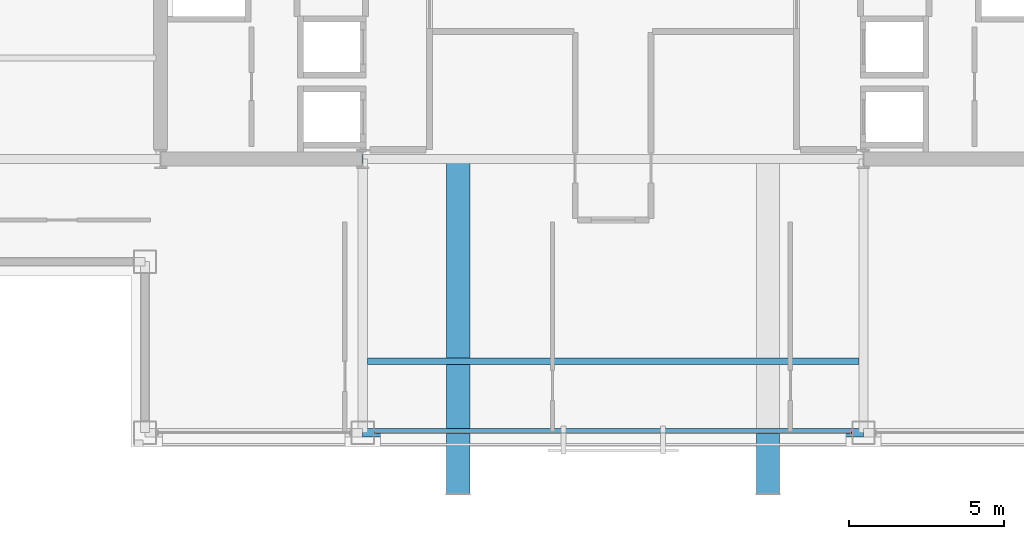
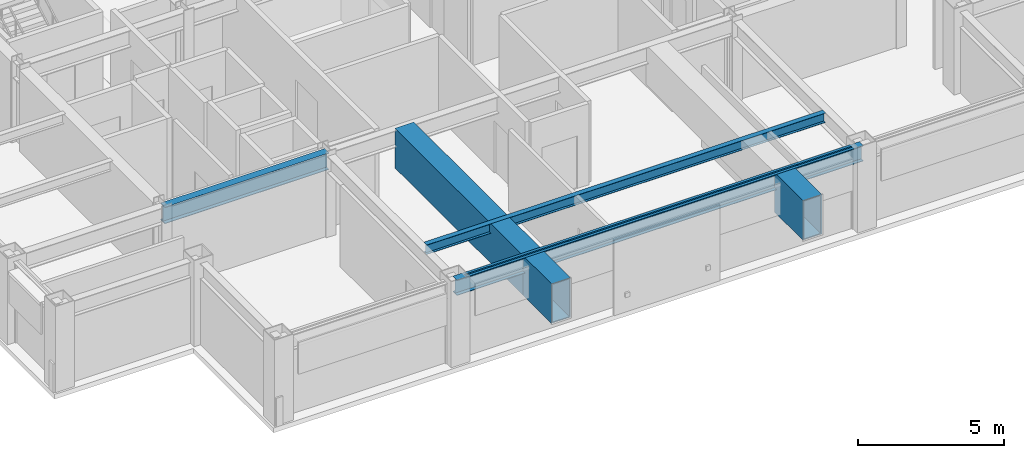
# One storey, part 5 of 28: 6 beams, 1 member, 1 element without a shape of its own.
"""IFC4 building model written with IfcOpenShell, lengths in metres."""

import ifcopenshell
import ifcopenshell.guid

model = None  # the IFC model being written
_history = None  # IfcOwnerHistory: only IFC2X3 demands one
_inside = {}  # id of a spatial element -> (the spatial element, [elements in it])
_under = {}  # id of a project, library or spatial element -> (it, [spatial elements below it])
_declared = {}  # id of a project -> (the project, [libraries it declares])
_typed = {}  # id of a type object -> (the type object, [elements of that type])
_made_of = {}  # id of a material, layer set ... -> (it, [elements and type objects made of it])


def new_model(schema):
    """Start an empty IFC model of exactly this schema.

    Asked for "IFC4X3", IfcOpenShell would pick the latest addendum, in which some entities
    have other attributes; the version numbers below select the first issue.
    IFC2X3 requires an IfcOwnerHistory on every rooted entity: one is made here for all.
    """
    global model, _history
    if schema == "IFC4X3":
        model = ifcopenshell.file(schema_version=(4, 3, 0, 0))
    else:
        model = ifcopenshell.file(schema=schema)
    _inside.clear()
    _under.clear()
    _declared.clear()
    _typed.clear()
    _made_of.clear()
    _history = None
    if model.schema == "IFC2X3":
        org = make("IfcOrganization", Name="unknown")
        user = make(
            "IfcPersonAndOrganization",
            ThePerson=make("IfcPerson", FamilyName="unknown"),
            TheOrganization=org,
        )
        app = make(
            "IfcApplication",
            ApplicationDeveloper=org,
            Version="unknown",
            ApplicationFullName="unknown",
            ApplicationIdentifier="unknown",
        )
        _history = make(
            "IfcOwnerHistory",
            OwningUser=user,
            OwningApplication=app,
            ChangeAction="ADDED",
            CreationDate=0,
        )
    return model


def make(cls, **values):
    """One entity of the class cls with the attributes given. An attribute that is None is left unset."""
    return model.create_entity(
        cls, **{name: value for name, value in values.items() if value is not None}
    )


def rooted(cls, **values):
    """An entity with a GlobalId (a new one), such as an element, a storey or a relation."""
    return make(cls, GlobalId=ifcopenshell.guid.new(), OwnerHistory=_history, **values)


def si_unit(unit_type, name, prefix=None):
    """IfcSIUnit, for example si_unit("LENGTHUNIT", "METRE", prefix="MILLI")."""
    return make("IfcSIUnit", UnitType=unit_type, Prefix=prefix, Name=name)


def assignment(units):
    """IfcUnitAssignment: the units of a project."""
    return None if units is None else make("IfcUnitAssignment", Units=units)


def point(xyz):
    """IfcCartesianPoint."""
    return None if xyz is None else make("IfcCartesianPoint", Coordinates=xyz)


def direction(xyz):
    """IfcDirection."""
    return None if xyz is None else make("IfcDirection", DirectionRatios=xyz)


def frame(location, z_axis=None, x_axis=None):
    """IfcAxis2Placement3D, a coordinate frame: its origin and axes. An axis left out is left unset."""
    return make(
        "IfcAxis2Placement3D",
        Location=point(location),
        Axis=direction(z_axis),
        RefDirection=direction(x_axis),
    )


def frame_2d(location, x_axis=None):
    """IfcAxis2Placement2D, a coordinate frame in the plane: its origin and x axis."""
    return make(
        "IfcAxis2Placement2D", Location=point(location), RefDirection=direction(x_axis)
    )


def origin():
    """The frame at (0, 0, 0) with its axes left unset."""
    return frame((0.0, 0.0, 0.0))


def origin_2d():
    """The frame at (0, 0) in the plane with its x axis left unset."""
    return frame_2d((0.0, 0.0))


def place(relative_to, where):
    """IfcLocalPlacement: puts the frame where relative to a parent placement (None: the world)."""
    return make(
        "IfcLocalPlacement", PlacementRelTo=relative_to, RelativePlacement=where
    )


def context(
    kind, dimensions, precision=None, world=None, true_north=None, identifier=None
):
    """IfcGeometricRepresentationContext, for example the 3D "Model" context."""
    return make(
        "IfcGeometricRepresentationContext",
        ContextIdentifier=identifier,
        ContextType=kind,
        CoordinateSpaceDimension=dimensions,
        Precision=precision,
        WorldCoordinateSystem=world,
        TrueNorth=true_north,
    )


def subcontext(parent, identifier, kind, view, scale=None):
    """IfcGeometricRepresentationSubContext, for example "Body" below "Model"."""
    return make(
        "IfcGeometricRepresentationSubContext",
        ContextIdentifier=identifier,
        ContextType=kind,
        ParentContext=parent,
        TargetScale=scale,
        TargetView=view,
    )


def project(units=None, contexts=None):
    """IfcProject with its units and contexts."""
    return rooted(
        "IfcProject",
        Name="project",
        RepresentationContexts=contexts,
        UnitsInContext=assignment(units),
    )


def spatial(cls, under=None, at=None, **own):
    """A site, building, storey or space (cls), placed at a placement, below another one or the project."""
    s = rooted(cls, ObjectPlacement=at, **own)
    if under is not None:
        _under.setdefault(under.id(), (under, []))[1].append(s)
    return s


def profile(cls, at=None, kind="AREA", **sizes):
    """A parametric profile (cls). Its sizes go by their IFC names, for example OverallWidth=200.0."""
    return make(cls, ProfileType=kind, Position=at, **sizes)


def hollow_rectangle(**sizes):
    """IfcRectangleHollowProfileDef."""
    return profile("IfcRectangleHollowProfileDef", **sizes)


def i_section(**sizes):
    """IfcIShapeProfileDef."""
    return profile("IfcIShapeProfileDef", **sizes)


def extrude(swept, where, along, depth):
    """IfcExtrudedAreaSolid: the profile swept, set in the frame where, extruded along a direction by depth."""
    return make(
        "IfcExtrudedAreaSolid",
        SweptArea=swept,
        Position=where,
        ExtrudedDirection=direction(along),
        Depth=depth,
    )


def shape(context_of_items, identifier, shape_type, items):
    """IfcShapeRepresentation: the items that make up one representation, for example the "Body"."""
    return make(
        "IfcShapeRepresentation",
        ContextOfItems=context_of_items,
        RepresentationIdentifier=identifier,
        RepresentationType=shape_type,
        Items=items,
    )


def material(Name=None, Category=None):
    """IfcMaterial."""
    return make("IfcMaterial", Name=Name, Category=Category)


def layer(
    of_material, thickness, ventilated=None, Name=None, Category=None, Priority=None
):
    """IfcMaterialLayer: one layer of a wall or slab, of a material (None: an air gap)."""
    return make(
        "IfcMaterialLayer",
        Material=of_material,
        LayerThickness=thickness,
        IsVentilated=ventilated,
        Name=Name,
        Category=Category,
        Priority=Priority,
    )


def layer_set(layers, Name=None):
    """IfcMaterialLayerSet."""
    return make("IfcMaterialLayerSet", MaterialLayers=layers, LayerSetName=Name)


def material_profile(
    of_material, cross_section, Name=None, Category=None, Priority=None
):
    """IfcMaterialProfile: a cross section and its material."""
    return make(
        "IfcMaterialProfile",
        Name=Name,
        Material=of_material,
        Profile=cross_section,
        Priority=Priority,
        Category=Category,
    )


def profile_set(profiles, Name=None, composite=None):
    """IfcMaterialProfileSet."""
    return make(
        "IfcMaterialProfileSet",
        Name=Name,
        MaterialProfiles=profiles,
        CompositeProfile=composite,
    )


def made_of(thing, what):
    """Note that an element or type object is made of a material, layer set ...; save() writes the relation."""
    if what is not None:
        _made_of.setdefault(what.id(), (what, []))[1].append(thing)
    return thing


def type_object(cls, material=None, **own):
    """A type object (cls), such as IfcWallType, which elements share."""
    return made_of(rooted(cls, **own), material)


def element(
    cls,
    number,
    at=None,
    inside=None,
    cuts=None,
    type_object=None,
    material=None,
    context=None,
    identifier="Body",
    shape_type=None,
    held_by="IfcProductDefinitionShape",
    body=None,
    shapes=None,
    **own,
):
    """One element of the class cls, such as IfcWall. Its Tag is "e" and its number.

    at: its placement. inside: the storey or other place that contains it. cuts: it is an
    opening in that element (IfcRelVoidsElement). A single representation is given by context,
    identifier, shape_type and body (its items); several are given by shapes. held_by: the class
    of the entity that holds the representations. save() writes the other relations.
    """
    e = rooted(cls, Tag="e%d" % number, ObjectPlacement=at, **own)
    if body is not None:
        shapes = [shape(context, identifier, shape_type, body)]
    if shapes is not None:
        e.Representation = make(held_by, Representations=shapes)
    if inside is not None:
        _inside.setdefault(inside.id(), (inside, []))[1].append(e)
    if cuts is not None:
        rooted(
            "IfcRelVoidsElement", RelatingBuildingElement=cuts, RelatedOpeningElement=e
        )
    if type_object is not None:
        _typed.setdefault(type_object.id(), (type_object, []))[1].append(e)
    return made_of(e, material)


def aggregate(whole, parts):
    """IfcRelAggregates: a whole, such as a stair, and the parts it consists of."""
    return rooted("IfcRelAggregates", RelatingObject=whole, RelatedObjects=parts)


def save(model, path):
    """Write the relations noted so far, then the file.

    IfcRelAggregates (storeys below a building ...), IfcRelContainedInSpatialStructure (elements
    in a storey), IfcRelDefinesByType, IfcRelAssociatesMaterial and IfcRelDeclares: one each for
    every whole, place, type object, material and project.
    """
    for whole, parts in _under.values():
        aggregate(whole, parts)
    for where, things in _inside.values():
        rooted(
            "IfcRelContainedInSpatialStructure",
            RelatedElements=things,
            RelatingStructure=where,
        )
    for kind, things in _typed.values():
        rooted("IfcRelDefinesByType", RelatedObjects=things, RelatingType=kind)
    for what, things in _made_of.values():
        rooted("IfcRelAssociatesMaterial", RelatedObjects=things, RelatingMaterial=what)
    for by, libraries in _declared.values():
        rooted("IfcRelDeclares", RelatingContext=by, RelatedDefinitions=libraries)
    model.write(path)


model = new_model("IFC4")

# Units and contexts
model_context = context("Model", 3, precision=1e-05, world=origin(), true_north=direction((0.0, 1.0)))
body_context = subcontext(model_context, "Body", "Model", "MODEL_VIEW")
ifc_project = project(units=[si_unit("LENGTHUNIT", "METRE"), si_unit("AREAUNIT", "SQUARE_METRE"), si_unit("VOLUMEUNIT", "CUBIC_METRE"), si_unit("PLANEANGLEUNIT", "RADIAN"), si_unit("MASSUNIT", "GRAM", prefix="KILO")], contexts=[model_context])

# Site, building, storey
site_placement = place(None, origin())
site = spatial("IfcSite", under=ifc_project, at=site_placement, CompositionType="ELEMENT")
building_placement = place(site_placement, origin())
building = spatial("IfcBuilding", under=site, at=building_placement, Name="Brelmoor Portico Tower", CompositionType="ELEMENT")
storey_placement = place(building_placement, frame((0.0, 0.0, 155.10009765625)))
storey = spatial("IfcBuildingStorey", under=building, at=storey_placement, Name="L40", CompositionType="ELEMENT", Elevation=155.10009765625)

# Beams
ifc_material_1 = material(Name="Steel Q355B", Category="steel")
ifc_material_profile_1 = material_profile(ifc_material_1, i_section(OverallWidth=0.199951171875, OverallDepth=0.39990234375, WebThickness=0.008056640625, FlangeThickness=0.012939453125, at=origin_2d()), Name="HN 400x200x8x13")
ifc_profile_set_1 = profile_set([ifc_material_profile_1], Name="Steel Q355B")
beam_type_1 = type_object("IfcBeamType", Name="BM-JS-400", PredefinedType="JOIST", material=ifc_profile_set_1)
beam_1_placement = place(storey_placement, frame((-7.89990234375, -16.25, 3.199951171875), z_axis=(1.0, 0.0, 0.0), x_axis=(0.0, 1.0, 0.0)))
element("IfcBeam", 1, at=beam_1_placement, inside=storey, type_object=beam_type_1, Name="L40 Secondary Composite Joist JS-C01", PredefinedType="JOIST", context=body_context, shape_type="SweptSolid", body=[
    extrude(i_section(OverallWidth=0.199951171875, OverallDepth=0.39990234375, WebThickness=0.008056640625, FlangeThickness=0.012939453125, at=origin_2d()), origin(), (0.0, 0.0, 1.0), 15.7998046875),
])
ifc_material_profile_2 = material_profile(ifc_material_1, hollow_rectangle(XDim=0.75, YDim=1.659912109375, WallThickness=0.0419921875, at=origin_2d()), Name="BOX 750x1660x42")
ifc_profile_set_2 = profile_set([ifc_material_profile_2], Name="Steel Q355B")
beam_type_2 = type_object("IfcBeamType", Name="BM-PF-CANT", PredefinedType="BEAM", material=ifc_profile_set_2)
for number, where, z_axis, x_axis, name in (
    (2, (-4.97998046875, -20.5, 2.56982421875), (0.0, 1.0, 0.0), (-1.0, 0.0, 0.0), "L40 Picture-Frame Outrigger Transfer Cantilever PFB-01"),
    (3, (4.97998046875, -20.5, 2.56982421875), (0.0, 1.0, 0.0), (-1.0, 0.0, 0.0), "L40 Picture-Frame Outrigger Transfer Cantilever PFB-02"),
):
    element("IfcBeam", number, at=place(storey_placement, frame(where, z_axis=z_axis, x_axis=x_axis)), inside=storey, type_object=beam_type_2, Name=name, PredefinedType="BEAM", context=body_context, shape_type="SweptSolid", body=[
        extrude(hollow_rectangle(XDim=0.75, YDim=1.659912109375, WallThickness=0.0419921875, at=origin_2d()), origin(), (0.0, 0.0, 1.0), 1.949951171875),
    ])
ifc_material_profile_3 = material_profile(ifc_material_1, i_section(OverallWidth=0.300048828125, OverallDepth=0.699951171875, WebThickness=0.012939453125, FlangeThickness=0.02392578125, at=origin_2d()), Name="HN 700x300x13x24")
ifc_profile_set_3 = profile_set([ifc_material_profile_3], Name="Steel Q355B")
beam_type_3 = type_object("IfcBeamType", Name="BM-PG-700", PredefinedType="BEAM", material=ifc_profile_set_3)
beam_2_placement = place(storey_placement, frame((-14.550048828125, -9.75, 3.0498046875), z_axis=(1.0, 0.0, 0.0), x_axis=(0.0, 1.0, 0.0)))
element("IfcBeam", 4, at=beam_2_placement, inside=storey, type_object=beam_type_3, Name="L40 Primary Floor Girder PG-11", PredefinedType="BEAM", context=body_context, shape_type="SweptSolid", body=[
    extrude(i_section(OverallWidth=0.300048828125, OverallDepth=0.699951171875, WebThickness=0.012939453125, FlangeThickness=0.02392578125, at=origin_2d()), origin(), (0.0, 0.0, 1.0), 6.5),
])
ifc_material_profile_4 = material_profile(ifc_material_1, i_section(OverallWidth=0.280029296875, OverallDepth=0.64990234375, WebThickness=0.012939453125, FlangeThickness=0.02197265625, at=origin_2d()), Name="HN 650x280x13x22")
ifc_profile_set_4 = profile_set([ifc_material_profile_4], Name="Steel Q355B")
beam_type_4 = type_object("IfcBeamType", Name="BM-SP-650", PredefinedType="SPANDREL", material=ifc_profile_set_4)
beam_3_placement = place(storey_placement, frame((-8.050048828125, -18.550048828125, 3.074951171875), z_axis=(1.0, 0.0, 0.0), x_axis=(0.0, 1.0, 0.0)))
element("IfcBeam", 5, at=beam_3_placement, inside=storey, type_object=beam_type_4, Name="L40 Perimeter Spandrel Beam SP-02", PredefinedType="SPANDREL", context=body_context, shape_type="SweptSolid", body=[
    extrude(i_section(OverallWidth=0.280029296875, OverallDepth=0.64990234375, WebThickness=0.012939453125, FlangeThickness=0.02197265625, at=origin_2d()), origin(), (0.0, 0.0, 1.0), 16.10009765625),
])
ifc_material_profile_5 = material_profile(ifc_material_1, hollow_rectangle(XDim=0.75, YDim=1.659912109375, WallThickness=0.0419921875, at=origin_2d()), Name="BOX 750x1660x42")
ifc_profile_set_5 = profile_set([ifc_material_profile_5], Name="Steel Q355B")
beam_type_5 = type_object("IfcBeamType", Name="BM-TG-Z2", PredefinedType="BEAM", material=ifc_profile_set_5)
beam_4_placement = place(storey_placement, frame((-4.97998046875, -18.550048828125, 2.56982421875), z_axis=(0.0, 1.0, 0.0), x_axis=(-1.0, 0.0, 0.0)))
element("IfcBeam", 6, at=beam_4_placement, inside=storey, type_object=beam_type_5, Name="L40 Picture-Frame Backspan Transfer Girder PFBS-01", PredefinedType="BEAM", context=body_context, shape_type="SweptSolid", body=[
    extrude(hollow_rectangle(XDim=0.75, YDim=1.659912109375, WallThickness=0.0419921875, at=origin_2d()), origin(), (0.0, 0.0, 1.0), 8.800048828125),
])

# Curtain wall, member
ifc_material_2 = material(Name="Anodised Aluminium Alloy 6063-T6", Category="aluminium")
ifc_layer = layer(ifc_material_2, 0.179931640625)
ifc_layer_set = layer_set([ifc_layer], Name="Anodised Aluminium Alloy 6063-T6")
curtain_wall_type = type_object("IfcCurtainWallType", Name="CW-TOWER-Z3-XB", PredefinedType="NOTDEFINED", material=ifc_layer_set)
curtain_wall_placement = place(storey_placement, origin())
curtain_wall = element("IfcCurtainWall", 7, at=curtain_wall_placement, inside=storey, type_object=curtain_wall_type, Name="L40 Curtain Wall CW-L40-01-2", PredefinedType="NOTDEFINED")
ifc_material_profile_6 = material_profile(ifc_material_2, hollow_rectangle(XDim=0.06005859375, YDim=0.125, WallThickness=0.00341796875, at=origin_2d()), Name="ALU TRANSOM 60x125")
ifc_profile_set_6 = profile_set([ifc_material_profile_6], Name="Anodised Aluminium Alloy 6063-T6")
member_type = type_object("IfcMemberType", Name="MB-CW-TRAN-125", PredefinedType="USERDEFINED", material=ifc_profile_set_6)
member_placement = place(storey_placement, frame((-7.6650390625, -18.550048828125, 3.33740234375), z_axis=(1.0, 0.0, 0.0), x_axis=(0.0, 1.0, 0.0)))
member = element("IfcMember", 8, at=member_placement, type_object=member_type, Name="CW-L40-01-2 Transom 1-00", ObjectType="TRANSOM", PredefinedType="USERDEFINED", context=body_context, shape_type="SweptSolid", body=[
    extrude(hollow_rectangle(XDim=0.06005859375, YDim=0.125, WallThickness=0.00341796875, at=origin_2d()), origin(), (0.0, 0.0, 1.0), 15.330078125),
])
aggregate(curtain_wall, [member])

save(model, "model.ifc")
